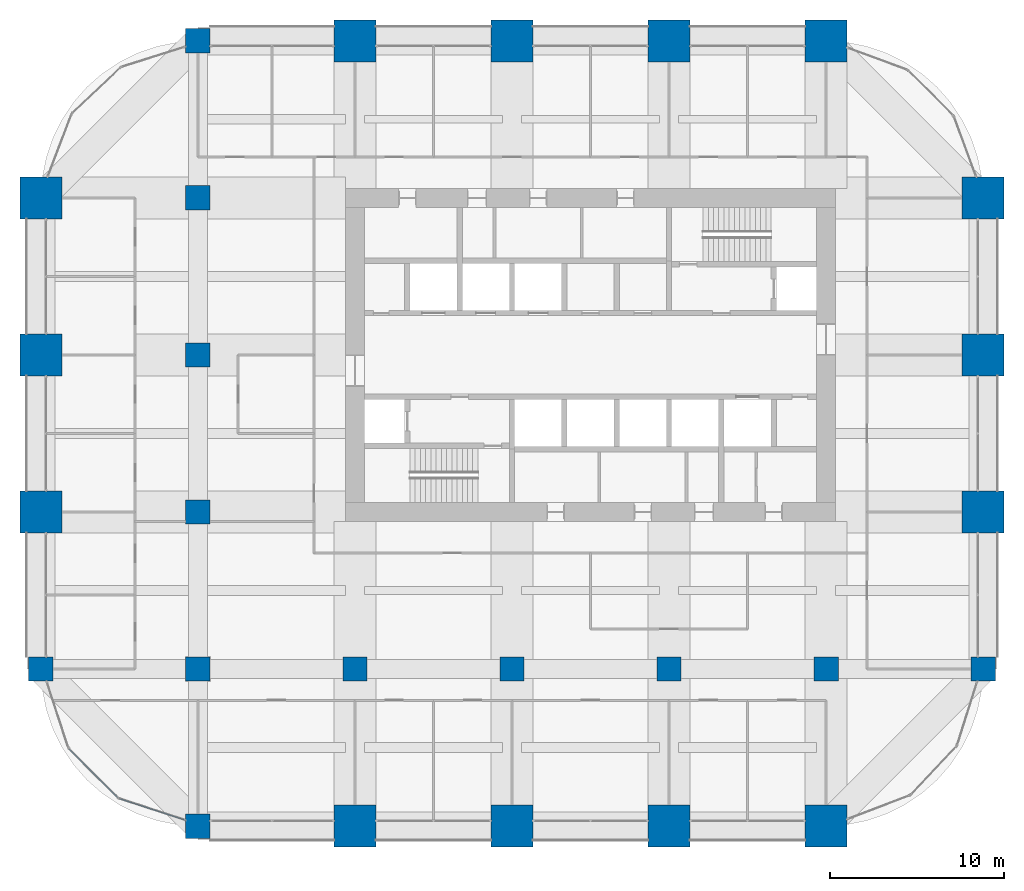
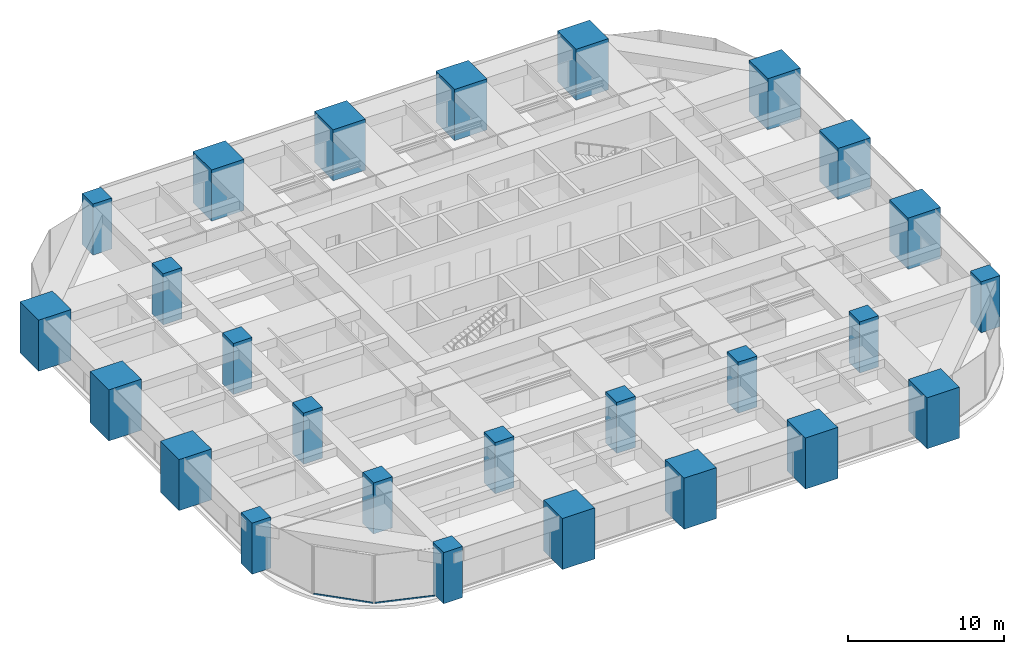
# One storey, part 1 of 35: 26 columns, 2 members, 2 elements without a shape of their own.
"""IFC4 building model written with IfcOpenShell, lengths in metres."""

from ifc_helpers import new_model, si_unit, direction, frame, origin, origin_2d, place, context, subcontext, project, spatial, rectangle, hollow_rectangle, extrude, material, material_profile, profile_set, type_object, element, aggregate, save


model = new_model("IFC4")

# Units and contexts
model_context = context("Model", 3, precision=1e-05, world=origin(), true_north=direction((0.0, 1.0)))
body_context = subcontext(model_context, "Body", "Model", "MODEL_VIEW")
ifc_project = project(units=[si_unit("LENGTHUNIT", "METRE"), si_unit("AREAUNIT", "SQUARE_METRE"), si_unit("VOLUMEUNIT", "CUBIC_METRE"), si_unit("PLANEANGLEUNIT", "RADIAN"), si_unit("MASSUNIT", "GRAM", prefix="KILO")], contexts=[model_context])

# Site, building, storey
site_placement = place(None, origin())
site = spatial("IfcSite", under=ifc_project, at=site_placement, CompositionType="ELEMENT")
building_placement = place(site_placement, origin())
building = spatial("IfcBuilding", under=site, at=building_placement, Name="Zorevar Civic Tower", CompositionType="ELEMENT")
storey_placement = place(building_placement, frame((0.0, 0.0, 222.199951171875)))
storey = spatial("IfcBuildingStorey", under=building, at=storey_placement, Name="L54", CompositionType="ELEMENT", Elevation=222.199951171875)

# Columns
ifc_material_1 = material(Name="Concrete C50/60", Category="concrete")
ifc_material_profile_1 = material_profile(ifc_material_1, rectangle(XDim=1.39990234375, YDim=1.39990234375, at=origin_2d()), Name="RC 1400x1400")
ifc_profile_set_1 = profile_set([ifc_material_profile_1], Name="Concrete C50/60")
column_type_1 = type_object("IfcColumnType", Name="Column RC 1400x1400", PredefinedType="COLUMN", material=ifc_profile_set_1)
for number, where, z_axis, x_axis, name in (
    (1, (0.0, 9.0, 0.0), (0.0, 0.0, 1.0), (1.0, 0.0, 0.0), "Column 2B L54"),
    (2, (9.0, 0.0, 0.0), (0.0, 0.0, 1.0), (1.0, 0.0, 0.0), "Column 3A L54"),
    (3, (9.0, 9.0, 0.0), (0.0, 0.0, 1.0), (1.0, 0.0, 0.0), "Column 3B L54"),
    (4, (9.0, 18.0, 0.0), (0.0, 0.0, 1.0), (1.0, 0.0, 0.0), "Column 3C L54"),
    (5, (9.0, 27.0, 0.0), (0.0, 0.0, 1.0), (1.0, 0.0, 0.0), "Column 3D L54"),
    (6, (9.0, 36.0, 0.0), (0.0, 0.0, 1.0), (1.0, 0.0, 0.0), "Column 3E L54"),
    (7, (9.0, 45.0, 0.0), (0.0, 0.0, 1.0), (1.0, 0.0, 0.0), "Column 3F L54"),
    (8, (18.0, 9.0, 0.0), (0.0, 0.0, 1.0), (1.0, 0.0, 0.0), "Column 4B L54"),
    (9, (27.0, 9.0, 0.0), (0.0, 0.0, 1.0), (1.0, 0.0, 0.0), "Column 5B L54"),
    (10, (36.0, 9.0, 0.0), (0.0, 0.0, 1.0), (1.0, 0.0, 0.0), "Column 6B L54"),
    (11, (45.0, 9.0, 0.0), (0.0, 0.0, 1.0), (1.0, 0.0, 0.0), "Column 7B L54"),
    (12, (54.0, 9.0, 0.0), (0.0, 0.0, 1.0), (1.0, 0.0, 0.0), "Column 8B L54"),
):
    element("IfcColumn", number, at=place(storey_placement, frame(where, z_axis=z_axis, x_axis=x_axis)), inside=storey, type_object=column_type_1, Name=name, PredefinedType="COLUMN", context=body_context, shape_type="SweptSolid", body=[
        extrude(rectangle(XDim=1.39990234375, YDim=1.39990234375, at=origin_2d()), origin(), (0.0, 0.0, 1.0), 4.0),
    ])
ifc_material_2 = material(Name="Concrete C50/60", Category="concrete")
ifc_material_profile_2 = material_profile(ifc_material_2, rectangle(XDim=2.39990234375, YDim=2.39990234375, at=origin_2d()), Name="RC 2400x2400")
ifc_profile_set_2 = profile_set([ifc_material_profile_2], Name="Concrete C50/60")
column_type_2 = type_object("IfcColumnType", Name="Mega column RC 2400x2400", PredefinedType="COLUMN", material=ifc_profile_set_2)
for number, where, z_axis, x_axis, name in (
    (13, (0.0, 18.0, 0.0), (0.0, 0.0, 1.0), (1.0, 0.0, 0.0), "Column 2C L54"),
    (14, (0.0, 27.0, 0.0), (0.0, 0.0, 1.0), (1.0, 0.0, 0.0), "Column 2D L54"),
    (15, (0.0, 36.0, 0.0), (0.0, 0.0, 1.0), (1.0, 0.0, 0.0), "Column 2E L54"),
    (16, (18.0, 0.0, 0.0), (0.0, 0.0, 1.0), (1.0, 0.0, 0.0), "Column 4A L54"),
    (17, (18.0, 45.0, 0.0), (0.0, 0.0, 1.0), (1.0, 0.0, 0.0), "Column 4F L54"),
    (18, (27.0, 0.0, 0.0), (0.0, 0.0, 1.0), (1.0, 0.0, 0.0), "Column 5A L54"),
    (19, (27.0, 45.0, 0.0), (0.0, 0.0, 1.0), (1.0, 0.0, 0.0), "Column 5F L54"),
    (20, (36.0, 0.0, 0.0), (0.0, 0.0, 1.0), (1.0, 0.0, 0.0), "Column 6A L54"),
    (21, (36.0, 45.0, 0.0), (0.0, 0.0, 1.0), (1.0, 0.0, 0.0), "Column 6F L54"),
    (22, (45.0, 0.0, 0.0), (0.0, 0.0, 1.0), (1.0, 0.0, 0.0), "Column 7A L54"),
    (23, (45.0, 45.0, 0.0), (0.0, 0.0, 1.0), (1.0, 0.0, 0.0), "Column 7F L54"),
    (24, (54.0, 18.0, 0.0), (0.0, 0.0, 1.0), (1.0, 0.0, 0.0), "Column 8C L54"),
    (25, (54.0, 27.0, 0.0), (0.0, 0.0, 1.0), (1.0, 0.0, 0.0), "Column 8D L54"),
    (26, (54.0, 36.0, 0.0), (0.0, 0.0, 1.0), (1.0, 0.0, 0.0), "Column 8E L54"),
):
    element("IfcColumn", number, at=place(storey_placement, frame(where, z_axis=z_axis, x_axis=x_axis)), inside=storey, type_object=column_type_2, Name=name, PredefinedType="COLUMN", context=body_context, shape_type="SweptSolid", body=[
        extrude(rectangle(XDim=2.39990234375, YDim=2.39990234375, at=origin_2d()), origin(), (0.0, 0.0, 1.0), 4.0),
    ])

# Curtain wall, member
ifc_material_3 = material(Name="Dark grey solar-control glass in black aluminium frame", Category="aluminium")
curtain_wall_type = type_object("IfcCurtainWallType", Name="Curtain wall CW4 high zone", PredefinedType="NOTDEFINED", material=ifc_material_3)
curtain_wall_1_placement = place(storey_placement, origin())
curtain_wall_1 = element("IfcCurtainWall", 27, at=curtain_wall_1_placement, inside=storey, type_object=curtain_wall_type, Name="CW4 L54", PredefinedType="NOTDEFINED")
ifc_material_4 = material(Name="Aluminium, black anodised", Category="aluminium")
ifc_material_profile_3 = material_profile(ifc_material_4, hollow_rectangle(XDim=0.06005859375, YDim=0.1201171875, WallThickness=0.0029296875, at=origin_2d()), Name="AL 120x60x3")
ifc_profile_set_3 = profile_set([ifc_material_profile_3], Name="Aluminium, black anodised")
member_type = type_object("IfcMemberType", Name="CW4 transom AL 120x60x3", PredefinedType="USERDEFINED", material=ifc_profile_set_3)
member_1_placement = place(storey_placement, frame((1.62744140625, 4.406982421875, 0.030029296875), z_axis=(0.707106781187, -0.707106781187, 0.0), x_axis=(0.707106781187, 0.707106781187, 0.0)))
member_1 = element("IfcMember", 28, at=member_1_placement, type_object=member_type, Name="CW4 sill transom", ObjectType="TRANSOM", PredefinedType="USERDEFINED", context=body_context, shape_type="SweptSolid", body=[
    extrude(hollow_rectangle(XDim=0.06005859375, YDim=0.1201171875, WallThickness=0.0029296875, at=origin_2d()), origin(), (0.0, 0.0, 1.0), 3.930908203125),
])
aggregate(curtain_wall_1, [member_1])

curtain_wall_2_placement = place(storey_placement, origin())
curtain_wall_2 = element("IfcCurtainWall", 29, at=curtain_wall_2_placement, inside=storey, type_object=curtain_wall_type, Name="CW4 L54", PredefinedType="NOTDEFINED")
member_2_placement = place(storey_placement, frame((4.50634765625, 1.56640625, 0.030029296875), z_axis=(0.950652200568, -0.31025859143, 0.0), x_axis=(0.31025859143, 0.950652200568, 0.0)))
member_2 = element("IfcMember", 30, at=member_2_placement, type_object=member_type, Name="CW4 sill transom", ObjectType="TRANSOM", PredefinedType="USERDEFINED", context=body_context, shape_type="SweptSolid", body=[
    extrude(hollow_rectangle(XDim=0.06005859375, YDim=0.1201171875, WallThickness=0.0029296875, at=origin_2d()), origin(), (0.0, 0.0, 1.0), 3.930419921875),
])
aggregate(curtain_wall_2, [member_2])

save(model, "model.ifc")
